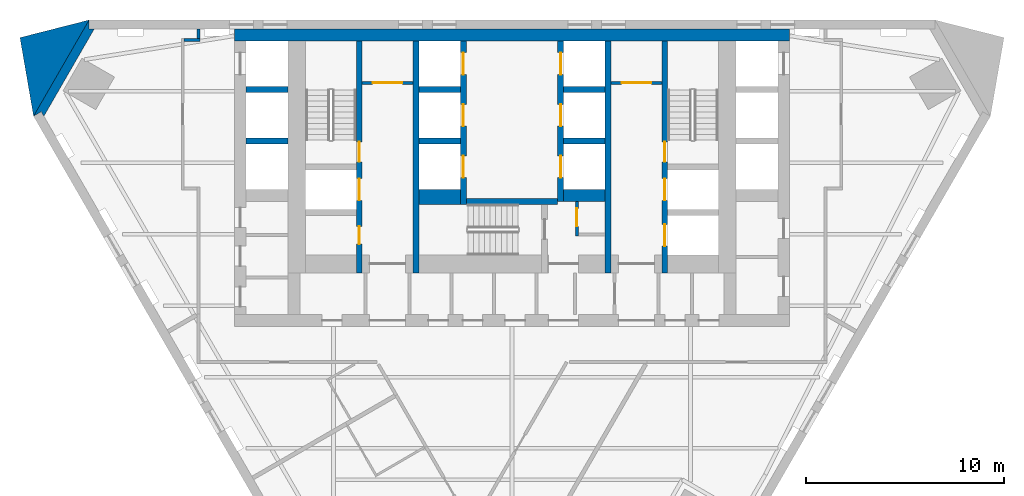
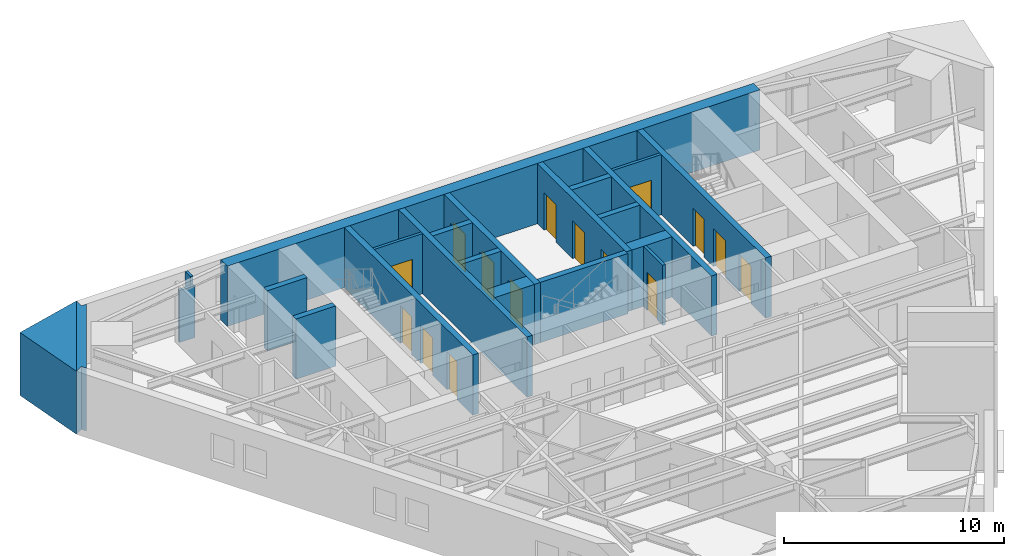
# One storey, part 5 of 7: 23 walls, 15 doors, 15 openings.
"""IFC4 building model written with IfcOpenShell, lengths in metres."""

import ifcopenshell
import ifcopenshell.guid

model = None  # the IFC model being written
_history = None  # IfcOwnerHistory: only IFC2X3 demands one
_inside = {}  # id of a spatial element -> (the spatial element, [elements in it])
_under = {}  # id of a project, library or spatial element -> (it, [spatial elements below it])
_declared = {}  # id of a project -> (the project, [libraries it declares])
_typed = {}  # id of a type object -> (the type object, [elements of that type])
_made_of = {}  # id of a material, layer set ... -> (it, [elements and type objects made of it])


def new_model(schema):
    """Start an empty IFC model of exactly this schema.

    Asked for "IFC4X3", IfcOpenShell would pick the latest addendum, in which some entities
    have other attributes; the version numbers below select the first issue.
    IFC2X3 requires an IfcOwnerHistory on every rooted entity: one is made here for all.
    """
    global model, _history
    if schema == "IFC4X3":
        model = ifcopenshell.file(schema_version=(4, 3, 0, 0))
    else:
        model = ifcopenshell.file(schema=schema)
    _inside.clear()
    _under.clear()
    _declared.clear()
    _typed.clear()
    _made_of.clear()
    _history = None
    if model.schema == "IFC2X3":
        org = make("IfcOrganization", Name="unknown")
        user = make(
            "IfcPersonAndOrganization",
            ThePerson=make("IfcPerson", FamilyName="unknown"),
            TheOrganization=org,
        )
        app = make(
            "IfcApplication",
            ApplicationDeveloper=org,
            Version="unknown",
            ApplicationFullName="unknown",
            ApplicationIdentifier="unknown",
        )
        _history = make(
            "IfcOwnerHistory",
            OwningUser=user,
            OwningApplication=app,
            ChangeAction="ADDED",
            CreationDate=0,
        )
    return model


def make(cls, **values):
    """One entity of the class cls with the attributes given. An attribute that is None is left unset."""
    return model.create_entity(
        cls, **{name: value for name, value in values.items() if value is not None}
    )


def rooted(cls, **values):
    """An entity with a GlobalId (a new one), such as an element, a storey or a relation."""
    return make(cls, GlobalId=ifcopenshell.guid.new(), OwnerHistory=_history, **values)


def si_unit(unit_type, name, prefix=None):
    """IfcSIUnit, for example si_unit("LENGTHUNIT", "METRE", prefix="MILLI")."""
    return make("IfcSIUnit", UnitType=unit_type, Prefix=prefix, Name=name)


def assignment(units):
    """IfcUnitAssignment: the units of a project."""
    return None if units is None else make("IfcUnitAssignment", Units=units)


def point(xyz):
    """IfcCartesianPoint."""
    return None if xyz is None else make("IfcCartesianPoint", Coordinates=xyz)


def direction(xyz):
    """IfcDirection."""
    return None if xyz is None else make("IfcDirection", DirectionRatios=xyz)


def frame(location, z_axis=None, x_axis=None):
    """IfcAxis2Placement3D, a coordinate frame: its origin and axes. An axis left out is left unset."""
    return make(
        "IfcAxis2Placement3D",
        Location=point(location),
        Axis=direction(z_axis),
        RefDirection=direction(x_axis),
    )


def frame_2d(location, x_axis=None):
    """IfcAxis2Placement2D, a coordinate frame in the plane: its origin and x axis."""
    return make(
        "IfcAxis2Placement2D", Location=point(location), RefDirection=direction(x_axis)
    )


def origin():
    """The frame at (0, 0, 0) with its axes left unset."""
    return frame((0.0, 0.0, 0.0))


def place(relative_to, where):
    """IfcLocalPlacement: puts the frame where relative to a parent placement (None: the world)."""
    return make(
        "IfcLocalPlacement", PlacementRelTo=relative_to, RelativePlacement=where
    )


def context(
    kind, dimensions, precision=None, world=None, true_north=None, identifier=None
):
    """IfcGeometricRepresentationContext, for example the 3D "Model" context."""
    return make(
        "IfcGeometricRepresentationContext",
        ContextIdentifier=identifier,
        ContextType=kind,
        CoordinateSpaceDimension=dimensions,
        Precision=precision,
        WorldCoordinateSystem=world,
        TrueNorth=true_north,
    )


def subcontext(parent, identifier, kind, view, scale=None):
    """IfcGeometricRepresentationSubContext, for example "Body" below "Model"."""
    return make(
        "IfcGeometricRepresentationSubContext",
        ContextIdentifier=identifier,
        ContextType=kind,
        ParentContext=parent,
        TargetScale=scale,
        TargetView=view,
    )


def project(units=None, contexts=None):
    """IfcProject with its units and contexts."""
    return rooted(
        "IfcProject",
        Name="project",
        RepresentationContexts=contexts,
        UnitsInContext=assignment(units),
    )


def spatial(cls, under=None, at=None, **own):
    """A site, building, storey or space (cls), placed at a placement, below another one or the project."""
    s = rooted(cls, ObjectPlacement=at, **own)
    if under is not None:
        _under.setdefault(under.id(), (under, []))[1].append(s)
    return s


def polyline(points):
    """IfcPolyline through the points."""
    return make("IfcPolyline", Points=[point(p) for p in points])


def profile(cls, at=None, kind="AREA", **sizes):
    """A parametric profile (cls). Its sizes go by their IFC names, for example OverallWidth=200.0."""
    return make(cls, ProfileType=kind, Position=at, **sizes)


def rectangle(**sizes):
    """IfcRectangleProfileDef."""
    return profile("IfcRectangleProfileDef", **sizes)


def outline(outer, holes=None, kind="AREA"):
    """IfcArbitraryClosedProfileDef: a profile drawn as a closed curve; with holes, ...WithVoids."""
    if holes is None:
        return make("IfcArbitraryClosedProfileDef", ProfileType=kind, OuterCurve=outer)
    return make(
        "IfcArbitraryProfileDefWithVoids",
        ProfileType=kind,
        OuterCurve=outer,
        InnerCurves=holes,
    )


def extrude(swept, where, along, depth):
    """IfcExtrudedAreaSolid: the profile swept, set in the frame where, extruded along a direction by depth."""
    return make(
        "IfcExtrudedAreaSolid",
        SweptArea=swept,
        Position=where,
        ExtrudedDirection=direction(along),
        Depth=depth,
    )


def shape(context_of_items, identifier, shape_type, items):
    """IfcShapeRepresentation: the items that make up one representation, for example the "Body"."""
    return make(
        "IfcShapeRepresentation",
        ContextOfItems=context_of_items,
        RepresentationIdentifier=identifier,
        RepresentationType=shape_type,
        Items=items,
    )


def material(Name=None, Category=None):
    """IfcMaterial."""
    return make("IfcMaterial", Name=Name, Category=Category)


def layer(
    of_material, thickness, ventilated=None, Name=None, Category=None, Priority=None
):
    """IfcMaterialLayer: one layer of a wall or slab, of a material (None: an air gap)."""
    return make(
        "IfcMaterialLayer",
        Material=of_material,
        LayerThickness=thickness,
        IsVentilated=ventilated,
        Name=Name,
        Category=Category,
        Priority=Priority,
    )


def layer_set(layers, Name=None):
    """IfcMaterialLayerSet."""
    return make("IfcMaterialLayerSet", MaterialLayers=layers, LayerSetName=Name)


def made_of(thing, what):
    """Note that an element or type object is made of a material, layer set ...; save() writes the relation."""
    if what is not None:
        _made_of.setdefault(what.id(), (what, []))[1].append(thing)
    return thing


def type_object(cls, material=None, **own):
    """A type object (cls), such as IfcWallType, which elements share."""
    return made_of(rooted(cls, **own), material)


def element(
    cls,
    number,
    at=None,
    inside=None,
    cuts=None,
    type_object=None,
    material=None,
    context=None,
    identifier="Body",
    shape_type=None,
    held_by="IfcProductDefinitionShape",
    body=None,
    shapes=None,
    **own,
):
    """One element of the class cls, such as IfcWall. Its Tag is "e" and its number.

    at: its placement. inside: the storey or other place that contains it. cuts: it is an
    opening in that element (IfcRelVoidsElement). A single representation is given by context,
    identifier, shape_type and body (its items); several are given by shapes. held_by: the class
    of the entity that holds the representations. save() writes the other relations.
    """
    e = rooted(cls, Tag="e%d" % number, ObjectPlacement=at, **own)
    if body is not None:
        shapes = [shape(context, identifier, shape_type, body)]
    if shapes is not None:
        e.Representation = make(held_by, Representations=shapes)
    if inside is not None:
        _inside.setdefault(inside.id(), (inside, []))[1].append(e)
    if cuts is not None:
        rooted(
            "IfcRelVoidsElement", RelatingBuildingElement=cuts, RelatedOpeningElement=e
        )
    if type_object is not None:
        _typed.setdefault(type_object.id(), (type_object, []))[1].append(e)
    return made_of(e, material)


def fill(opening, filler):
    """IfcRelFillsElement: the door or window that sits in an opening."""
    return rooted(
        "IfcRelFillsElement",
        RelatingOpeningElement=opening,
        RelatedBuildingElement=filler,
    )


def aggregate(whole, parts):
    """IfcRelAggregates: a whole, such as a stair, and the parts it consists of."""
    return rooted("IfcRelAggregates", RelatingObject=whole, RelatedObjects=parts)


def save(model, path):
    """Write the relations noted so far, then the file.

    IfcRelAggregates (storeys below a building ...), IfcRelContainedInSpatialStructure (elements
    in a storey), IfcRelDefinesByType, IfcRelAssociatesMaterial and IfcRelDeclares: one each for
    every whole, place, type object, material and project.
    """
    for whole, parts in _under.values():
        aggregate(whole, parts)
    for where, things in _inside.values():
        rooted(
            "IfcRelContainedInSpatialStructure",
            RelatedElements=things,
            RelatingStructure=where,
        )
    for kind, things in _typed.values():
        rooted("IfcRelDefinesByType", RelatedObjects=things, RelatingType=kind)
    for what, things in _made_of.values():
        rooted("IfcRelAssociatesMaterial", RelatedObjects=things, RelatingMaterial=what)
    for by, libraries in _declared.values():
        rooted("IfcRelDeclares", RelatingContext=by, RelatedDefinitions=libraries)
    model.write(path)


model = new_model("IFC4")

# Units and contexts
model_context = context("Model", 3, precision=1e-05, world=origin(), true_north=direction((0.0, 1.0)))
body_context = subcontext(model_context, "Body", "Model", "MODEL_VIEW")
ifc_project = project(units=[si_unit("LENGTHUNIT", "METRE"), si_unit("AREAUNIT", "SQUARE_METRE"), si_unit("VOLUMEUNIT", "CUBIC_METRE"), si_unit("PLANEANGLEUNIT", "RADIAN"), si_unit("MASSUNIT", "GRAM", prefix="KILO")], contexts=[model_context])

# Site, building, storey
site_placement = place(None, origin())
site = spatial("IfcSite", under=ifc_project, at=site_placement, CompositionType="ELEMENT")
building_placement = place(site_placement, origin())
building = spatial("IfcBuilding", under=site, at=building_placement, Name="Aloe Facet Convention Tower", CompositionType="ELEMENT")
storey_placement = place(building_placement, frame((0.0, 0.0, 113.300048828125)))
storey = spatial("IfcBuildingStorey", under=building, at=storey_placement, Name="L28", CompositionType="ELEMENT", Elevation=113.300048828125)

# Wall, opening, door
ifc_material_1 = material(Name="Concrete blockwork partition", Category="masonry")
ifc_layer_1 = layer(ifc_material_1, 0.14990234375)
ifc_layer_set_1 = layer_set([ifc_layer_1], Name="CR-W-PART150")
wall_type_1 = type_object("IfcWallType", Name="CR-W-PART150", PredefinedType="PARTITIONING", material=ifc_layer_set_1)
wall_1_placement = place(storey_placement, frame((72.449951171875, 131.824951171875, 0.0), z_axis=(0.0, 0.0, 1.0), x_axis=(1.0, 0.0, 0.0)))
wall_1 = element("IfcWall", 1, at=wall_1_placement, inside=storey, type_object=wall_type_1, Name="Core partition L28-015", PredefinedType="PARTITIONING", context=body_context, shape_type="SweptSolid", body=[
    extrude(rectangle(XDim=2.550048828125, YDim=0.14990234375, at=frame_2d((1.27490234375, 0.0))), origin(), (0.0, 0.0, 1.0), 3.349853515625),
])
opening_1_placement = place(wall_1_placement, frame((0.52490234375, 0.0, 0.0)))
opening_1 = element("IfcOpeningElement", 2, at=opening_1_placement, cuts=wall_1, Name="Opening L28-CD21", PredefinedType="OPENING", context=body_context, shape_type="SweptSolid", body=[
    extrude(rectangle(XDim=1.5, YDim=2.10009765625, at=frame_2d((0.75, 1.050048828125))), frame((0.0, 0.0849609375, 0.0), z_axis=(0.0, -1.0, 0.0), x_axis=(1.0, 0.0, 0.0)), (0.0, 0.0, 1.0), 0.169921875),
])
ifc_material_2 = material(Name="Steel fire-resisting door set FD60", Category="steel")
door_type_1 = type_object("IfcDoorType", Name="CR-D-REFUGE-1500-FD60-DD", OperationType="DOUBLE_DOOR_DOUBLE_SWING", PredefinedType="DOOR", material=ifc_material_2)
door_1_placement = place(opening_1_placement, origin())
door_1 = element("IfcDoor", 3, at=door_1_placement, inside=storey, type_object=door_type_1, Name="Core door L28-CD21", OperationType="DOUBLE_DOOR_DOUBLE_SWING", OverallHeight=2.10009765625, OverallWidth=1.5, PredefinedType="DOOR", context=body_context, shape_type="SweptSolid", body=[
    extrude(rectangle(XDim=1.5, YDim=2.10009765625, at=frame_2d((0.75, 1.050048828125))), frame((0.0, 0.02490234375, 0.0), z_axis=(0.0, -1.0, 0.0), x_axis=(1.0, 0.0, 0.0)), (0.0, 0.0, 1.0), 0.050048828125),
])
fill(opening_1, door_1)

wall_2_placement = place(storey_placement, frame((83.27490234375, 125.85009765625, 0.0), z_axis=(0.0, 0.0, 1.0), x_axis=(0.0, -1.0, 0.0)))
wall_2 = element("IfcWall", 4, at=wall_2_placement, inside=storey, type_object=wall_type_1, Name="Core partition L28-036", PredefinedType="PARTITIONING", context=body_context, shape_type="SweptSolid", body=[
    extrude(rectangle(XDim=1.75, YDim=0.14990234375, at=frame_2d((0.875, 0.0))), origin(), (0.0, 0.0, 1.0), 3.349853515625),
])
opening_2_placement = place(wall_2_placement, frame((0.35009765625, 0.0, 0.0)))
opening_2 = element("IfcOpeningElement", 5, at=opening_2_placement, cuts=wall_2, Name="Opening L28-CD19", PredefinedType="OPENING", context=body_context, shape_type="SweptSolid", body=[
    extrude(rectangle(XDim=0.89990234375, YDim=2.10009765625, at=frame_2d((0.449951171875, 1.050048828125))), frame((0.0, 0.0849609375, 0.0), z_axis=(0.0, -1.0, 0.0), x_axis=(1.0, 0.0, 0.0)), (0.0, 0.0, 1.0), 0.169921875),
])
ifc_material_3 = material(Name="Steel fire-resisting door set FD60", Category="steel")
door_type_2 = type_object("IfcDoorType", Name="CR-D-REFUGE-900-FD60-SRIGHT", OperationType="SINGLE_SWING_RIGHT", PredefinedType="DOOR", material=ifc_material_3)
door_2_placement = place(opening_2_placement, origin())
door_2 = element("IfcDoor", 6, at=door_2_placement, inside=storey, type_object=door_type_2, Name="Core door L28-CD19", OperationType="SINGLE_SWING_RIGHT", OverallHeight=2.10009765625, OverallWidth=0.89990234375, PredefinedType="DOOR", context=body_context, shape_type="SweptSolid", body=[
    extrude(rectangle(XDim=0.89990234375, YDim=2.10009765625, at=frame_2d((0.449951171875, 1.050048828125))), frame((0.0, 0.02490234375, 0.0), z_axis=(0.0, -1.0, 0.0), x_axis=(1.0, 0.0, 0.0)), (0.0, 0.0, 1.0), 0.050048828125),
])
fill(opening_2, door_2)

wall_3_placement = place(storey_placement, frame((85.0, 131.824951171875, 0.0), z_axis=(0.0, 0.0, 1.0), x_axis=(1.0, 0.0, 0.0)))
wall_3 = element("IfcWall", 7, at=wall_3_placement, inside=storey, type_object=wall_type_1, Name="Core partition L28-039", PredefinedType="PARTITIONING", context=body_context, shape_type="SweptSolid", body=[
    extrude(rectangle(XDim=2.550048828125, YDim=0.14990234375, at=frame_2d((1.27490234375, 0.0))), origin(), (0.0, 0.0, 1.0), 3.349853515625),
])
opening_3_placement = place(wall_3_placement, frame((0.52490234375, 0.0, 0.0)))
opening_3 = element("IfcOpeningElement", 8, at=opening_3_placement, cuts=wall_3, Name="Opening L28-CD20", PredefinedType="OPENING", context=body_context, shape_type="SweptSolid", body=[
    extrude(rectangle(XDim=1.5, YDim=2.10009765625, at=frame_2d((0.75, 1.050048828125))), frame((0.0, 0.0849609375, 0.0), z_axis=(0.0, -1.0, 0.0), x_axis=(1.0, 0.0, 0.0)), (0.0, 0.0, 1.0), 0.169921875),
])
door_3_placement = place(opening_3_placement, origin())
door_3 = element("IfcDoor", 9, at=door_3_placement, inside=storey, type_object=door_type_1, Name="Core door L28-CD20", OperationType="DOUBLE_DOOR_DOUBLE_SWING", OverallHeight=2.10009765625, OverallWidth=1.5, PredefinedType="DOOR", context=body_context, shape_type="SweptSolid", body=[
    extrude(rectangle(XDim=1.5, YDim=2.10009765625, at=frame_2d((0.75, 1.050048828125))), frame((0.0, 0.02490234375, 0.0), z_axis=(0.0, -1.0, 0.0), x_axis=(1.0, 0.0, 0.0)), (0.0, 0.0, 1.0), 0.050048828125),
])
fill(opening_3, door_3)

# Walls
ifc_material_4 = material(Name="Concrete C70/85", Category="concrete")
ifc_layer_2 = layer(ifc_material_4, 0.300048828125)
ifc_layer_set_2 = layer_set([ifc_layer_2], Name="CR-W-RC300-C7085")
wall_type_2 = type_object("IfcWallType", Name="CR-W-RC300-C7085", PredefinedType="SOLIDWALL", material=ifc_layer_set_2)
for number, where, z_axis, x_axis, name in (
    (10, (66.60009765625, 131.5, 0.0), (0.0, 0.0, 1.0), (1.0, 0.0, 0.0), "Core wall L28-004"),
    (11, (66.60009765625, 128.89990234375, 0.0), (0.0, 0.0, 1.0), (1.0, 0.0, 0.0), "Core wall L28-005"),
):
    element("IfcWall", number, at=place(storey_placement, frame(where, z_axis=z_axis, x_axis=x_axis)), inside=storey, type_object=wall_type_2, Name=name, PredefinedType="SOLIDWALL", context=body_context, shape_type="SweptSolid", body=[
        extrude(rectangle(XDim=2.099853515625, YDim=0.300048828125, at=frame_2d((1.0498046875, 0.0))), origin(), (0.0, 0.0, 1.0), 3.349853515625),
    ])

# Wall, openings, doors
wall_4_placement = place(storey_placement, frame((72.300048828125, 133.949951171875, 0.0), z_axis=(0.0, 0.0, 1.0), x_axis=(0.0, -1.0, 0.0)))
wall_4 = element("IfcWall", 12, at=wall_4_placement, inside=storey, type_object=wall_type_2, Name="Core wall L28-014", PredefinedType="SOLIDWALL", context=body_context, shape_type="SweptSolid", body=[
    extrude(rectangle(XDim=11.699951171875, YDim=0.300048828125, at=frame_2d((5.85009765625, 0.0))), origin(), (0.0, 0.0, 1.0), 3.349853515625),
])
opening_4_placement = place(wall_4_placement, frame((6.949951171875, 0.0, 0.0)))
opening_4 = element("IfcOpeningElement", 13, at=opening_4_placement, cuts=wall_4, Name="Opening LD-FF1-L28", PredefinedType="OPENING", context=body_context, shape_type="SweptSolid", body=[
    extrude(rectangle(XDim=1.10009765625, YDim=2.10009765625, at=frame_2d((0.550048828125, 1.050048828125))), frame((0.0, 0.16015625, 0.0), z_axis=(0.0, -1.0, 0.0), x_axis=(1.0, 0.0, 0.0)), (0.0, 0.0, 1.0), 0.320068359375),
])
opening_5_placement = place(wall_4_placement, frame((9.35009765625, 0.0, 0.0)))
opening_5 = element("IfcOpeningElement", 14, at=opening_5_placement, cuts=wall_4, Name="Opening L28-CD22", PredefinedType="OPENING", context=body_context, shape_type="SweptSolid", body=[
    extrude(rectangle(XDim=0.89990234375, YDim=2.10009765625, at=frame_2d((0.449951171875, 1.050048828125))), frame((0.0, 0.16015625, 0.0), z_axis=(0.0, -1.0, 0.0), x_axis=(1.0, 0.0, 0.0)), (0.0, 0.0, 1.0), 0.320068359375),
])
opening_6_placement = place(wall_4_placement, frame((5.10009765625, 0.0, 0.0)))
opening_6 = element("IfcOpeningElement", 15, at=opening_6_placement, cuts=wall_4, Name="Opening L28-CD30", PredefinedType="OPENING", context=body_context, shape_type="SweptSolid", body=[
    extrude(rectangle(XDim=1.0, YDim=2.10009765625, at=frame_2d((0.5, 1.050048828125))), frame((0.0, 0.16015625, 0.0), z_axis=(0.0, -1.0, 0.0), x_axis=(1.0, 0.0, 0.0)), (0.0, 0.0, 1.0), 0.320068359375),
])
ifc_material_5 = material(Name="Steel fire-resisting door set FD60", Category="steel")
door_type_3 = type_object("IfcDoorType", Name="CR-D-ROOM-900-FD60-SLEFT", OperationType="SINGLE_SWING_LEFT", PredefinedType="DOOR", material=ifc_material_5)
door_4_placement = place(opening_5_placement, origin())
door_4 = element("IfcDoor", 16, at=door_4_placement, inside=storey, type_object=door_type_3, Name="Core door L28-CD22", OperationType="SINGLE_SWING_LEFT", OverallHeight=2.10009765625, OverallWidth=0.89990234375, PredefinedType="DOOR", context=body_context, shape_type="SweptSolid", body=[
    extrude(rectangle(XDim=0.89990234375, YDim=2.10009765625, at=frame_2d((0.449951171875, 1.050048828125))), frame((0.0, 0.02490234375, 0.0), z_axis=(0.0, -1.0, 0.0), x_axis=(1.0, 0.0, 0.0)), (0.0, 0.0, 1.0), 0.050048828125),
])
fill(opening_5, door_4)
ifc_material_6 = material(Name="Steel fire-resisting door set FD120", Category="steel")
door_type_4 = type_object("IfcDoorType", Name="CR-D-STAIR-1000-FD120-SRIGHT", OperationType="SINGLE_SWING_RIGHT", PredefinedType="DOOR", material=ifc_material_6)
door_5_placement = place(opening_6_placement, origin())
door_5 = element("IfcDoor", 17, at=door_5_placement, inside=storey, type_object=door_type_4, Name="Core door L28-CD30", OperationType="SINGLE_SWING_RIGHT", OverallHeight=2.10009765625, OverallWidth=1.0, PredefinedType="DOOR", context=body_context, shape_type="SweptSolid", body=[
    extrude(rectangle(XDim=1.0, YDim=2.10009765625, at=frame_2d((0.5, 1.050048828125))), frame((0.0, 0.02490234375, 0.0), z_axis=(0.0, -1.0, 0.0), x_axis=(1.0, 0.0, 0.0)), (0.0, 0.0, 1.0), 0.050048828125),
])
fill(opening_6, door_5)
ifc_material_7 = material(Name="Stainless steel sliding landing door", Category="steel")
door_type_5 = type_object("IfcDoorType", Name="CR-LD-1100-FD120-_LEFT", OperationType="SLIDING_TO_LEFT", PredefinedType="DOOR", material=ifc_material_7)
door_6_placement = place(opening_4_placement, origin())
door_6 = element("IfcDoor", 18, at=door_6_placement, inside=storey, type_object=door_type_5, Name="Landing door FF1 L28", OperationType="SLIDING_TO_LEFT", OverallHeight=2.10009765625, OverallWidth=1.10009765625, PredefinedType="DOOR", context=body_context, shape_type="SweptSolid", body=[
    extrude(rectangle(XDim=1.10009765625, YDim=2.10009765625, at=frame_2d((0.550048828125, 1.050048828125))), frame((0.0, 0.02490234375, 0.0), z_axis=(0.0, -1.0, 0.0), x_axis=(1.0, 0.0, 0.0)), (0.0, 0.0, 1.0), 0.050048828125),
])
fill(opening_4, door_6)

# Walls
wall_5_placement = place(storey_placement, frame((75.14990234375, 133.949951171875, 0.0), z_axis=(0.0, 0.0, 1.0), x_axis=(0.0, -1.0, 0.0)))
element("IfcWall", 19, at=wall_5_placement, inside=storey, type_object=wall_type_2, Name="Core wall L28-019", PredefinedType="SOLIDWALL", context=body_context, shape_type="SweptSolid", body=[
    extrude(rectangle(XDim=11.699951171875, YDim=0.300048828125, at=frame_2d((5.85009765625, 0.0))), origin(), (0.0, 0.0, 1.0), 3.349853515625),
])
for number, where, z_axis, x_axis, name in (
    (20, (75.300048828125, 131.5, 0.0), (0.0, 0.0, 1.0), (1.0, 0.0, 0.0), "Core wall L28-020"),
    (21, (75.300048828125, 128.89990234375, 0.0), (0.0, 0.0, 1.0), (1.0, 0.0, 0.0), "Core wall L28-021"),
):
    element("IfcWall", number, at=place(storey_placement, frame(where, z_axis=z_axis, x_axis=x_axis)), inside=storey, type_object=wall_type_2, Name=name, PredefinedType="SOLIDWALL", context=body_context, shape_type="SweptSolid", body=[
        extrude(rectangle(XDim=2.099853515625, YDim=0.300048828125, at=frame_2d((1.0498046875, 0.0))), origin(), (0.0, 0.0, 1.0), 3.349853515625),
    ])

# Wall, openings, doors
wall_6_placement = place(storey_placement, frame((77.550048828125, 133.949951171875, 0.0), z_axis=(0.0, 0.0, 1.0), x_axis=(0.0, -1.0, 0.0)))
wall_6 = element("IfcWall", 22, at=wall_6_placement, inside=storey, type_object=wall_type_2, Name="Core wall L28-025", PredefinedType="SOLIDWALL", context=body_context, shape_type="SweptSolid", body=[
    extrude(rectangle(XDim=8.25, YDim=0.300048828125, at=frame_2d((4.125, 0.0))), origin(), (0.0, 0.0, 1.0), 3.349853515625),
])
opening_7_placement = place(wall_6_placement, frame((0.60009765625, 0.0, 0.0)))
opening_7 = element("IfcOpeningElement", 23, at=opening_7_placement, cuts=wall_6, Name="Opening LD-A1-L28", PredefinedType="OPENING", context=body_context, shape_type="SweptSolid", body=[
    extrude(rectangle(XDim=1.10009765625, YDim=2.10009765625, at=frame_2d((0.550048828125, 1.050048828125))), frame((0.0, 0.16015625, 0.0), z_axis=(0.0, -1.0, 0.0), x_axis=(1.0, 0.0, 0.0)), (0.0, 0.0, 1.0), 0.320068359375),
])
opening_8_placement = place(wall_6_placement, frame((3.199951171875, 0.0, 0.0)))
opening_8 = element("IfcOpeningElement", 24, at=opening_8_placement, cuts=wall_6, Name="Opening LD-A2-L28", PredefinedType="OPENING", context=body_context, shape_type="SweptSolid", body=[
    extrude(rectangle(XDim=1.10009765625, YDim=2.10009765625, at=frame_2d((0.550048828125, 1.050048828125))), frame((0.0, 0.16015625, 0.0), z_axis=(0.0, -1.0, 0.0), x_axis=(1.0, 0.0, 0.0)), (0.0, 0.0, 1.0), 0.320068359375),
])
opening_9_placement = place(wall_6_placement, frame((5.800048828125, 0.0, 0.0)))
opening_9 = element("IfcOpeningElement", 25, at=opening_9_placement, cuts=wall_6, Name="Opening LD-A3-L28", PredefinedType="OPENING", context=body_context, shape_type="SweptSolid", body=[
    extrude(rectangle(XDim=1.10009765625, YDim=2.10009765625, at=frame_2d((0.550048828125, 1.050048828125))), frame((0.0, 0.16015625, 0.0), z_axis=(0.0, -1.0, 0.0), x_axis=(1.0, 0.0, 0.0)), (0.0, 0.0, 1.0), 0.320068359375),
])
ifc_material_8 = material(Name="Stainless steel sliding landing door", Category="steel")
door_type_6 = type_object("IfcDoorType", Name="CR-LD-1100-FD60-RIGHT", OperationType="SLIDING_TO_RIGHT", PredefinedType="DOOR", material=ifc_material_8)
door_7_placement = place(opening_7_placement, origin())
door_7 = element("IfcDoor", 26, at=door_7_placement, inside=storey, type_object=door_type_6, Name="Landing door A1 L28", OperationType="SLIDING_TO_RIGHT", OverallHeight=2.10009765625, OverallWidth=1.10009765625, PredefinedType="DOOR", context=body_context, shape_type="SweptSolid", body=[
    extrude(rectangle(XDim=1.10009765625, YDim=2.10009765625, at=frame_2d((0.550048828125, 1.050048828125))), frame((0.0, 0.02490234375, 0.0), z_axis=(0.0, -1.0, 0.0), x_axis=(1.0, 0.0, 0.0)), (0.0, 0.0, 1.0), 0.050048828125),
])
fill(opening_7, door_7)
door_8_placement = place(opening_8_placement, origin())
door_8 = element("IfcDoor", 27, at=door_8_placement, inside=storey, type_object=door_type_6, Name="Landing door A2 L28", OperationType="SLIDING_TO_RIGHT", OverallHeight=2.10009765625, OverallWidth=1.10009765625, PredefinedType="DOOR", context=body_context, shape_type="SweptSolid", body=[
    extrude(rectangle(XDim=1.10009765625, YDim=2.10009765625, at=frame_2d((0.550048828125, 1.050048828125))), frame((0.0, 0.02490234375, 0.0), z_axis=(0.0, -1.0, 0.0), x_axis=(1.0, 0.0, 0.0)), (0.0, 0.0, 1.0), 0.050048828125),
])
fill(opening_8, door_8)
door_9_placement = place(opening_9_placement, origin())
door_9 = element("IfcDoor", 28, at=door_9_placement, inside=storey, type_object=door_type_6, Name="Landing door A3 L28", OperationType="SLIDING_TO_RIGHT", OverallHeight=2.10009765625, OverallWidth=1.10009765625, PredefinedType="DOOR", context=body_context, shape_type="SweptSolid", body=[
    extrude(rectangle(XDim=1.10009765625, YDim=2.10009765625, at=frame_2d((0.550048828125, 1.050048828125))), frame((0.0, 0.02490234375, 0.0), z_axis=(0.0, -1.0, 0.0), x_axis=(1.0, 0.0, 0.0)), (0.0, 0.0, 1.0), 0.050048828125),
])
fill(opening_9, door_9)

# Wall
wall_7_placement = place(storey_placement, frame((77.699951171875, 125.85009765625, 0.0), z_axis=(0.0, 0.0, 1.0), x_axis=(1.0, 0.0, 0.0)))
element("IfcWall", 29, at=wall_7_placement, inside=storey, type_object=wall_type_2, Name="Core wall L28-026", PredefinedType="SOLIDWALL", context=body_context, shape_type="SweptSolid", body=[
    extrude(rectangle(XDim=4.60009765625, YDim=0.300048828125, at=frame_2d((2.300048828125, 0.0))), origin(), (0.0, 0.0, 1.0), 3.349853515625),
])

# Wall, openings, doors
wall_8_placement = place(storey_placement, frame((82.449951171875, 133.949951171875, 0.0), z_axis=(0.0, 0.0, 1.0), x_axis=(0.0, -1.0, 0.0)))
wall_8 = element("IfcWall", 30, at=wall_8_placement, inside=storey, type_object=wall_type_2, Name="Core wall L28-031", PredefinedType="SOLIDWALL", context=body_context, shape_type="SweptSolid", body=[
    extrude(rectangle(XDim=8.099853515625, YDim=0.300048828125, at=frame_2d((4.0498046875, 0.0))), origin(), (0.0, 0.0, 1.0), 3.349853515625),
])
opening_10_placement = place(wall_8_placement, frame((0.60009765625, 0.0, 0.0)))
opening_10 = element("IfcOpeningElement", 31, at=opening_10_placement, cuts=wall_8, Name="Opening LD-A4-L28", PredefinedType="OPENING", context=body_context, shape_type="SweptSolid", body=[
    extrude(rectangle(XDim=1.10009765625, YDim=2.10009765625, at=frame_2d((0.550048828125, 1.050048828125))), frame((0.0, 0.16015625, 0.0), z_axis=(0.0, -1.0, 0.0), x_axis=(1.0, 0.0, 0.0)), (0.0, 0.0, 1.0), 0.320068359375),
])
opening_11_placement = place(wall_8_placement, frame((3.199951171875, 0.0, 0.0)))
opening_11 = element("IfcOpeningElement", 32, at=opening_11_placement, cuts=wall_8, Name="Opening LD-A5-L28", PredefinedType="OPENING", context=body_context, shape_type="SweptSolid", body=[
    extrude(rectangle(XDim=1.10009765625, YDim=2.10009765625, at=frame_2d((0.550048828125, 1.050048828125))), frame((0.0, 0.16015625, 0.0), z_axis=(0.0, -1.0, 0.0), x_axis=(1.0, 0.0, 0.0)), (0.0, 0.0, 1.0), 0.320068359375),
])
opening_12_placement = place(wall_8_placement, frame((5.800048828125, 0.0, 0.0)))
opening_12 = element("IfcOpeningElement", 33, at=opening_12_placement, cuts=wall_8, Name="Opening LD-A6-L28", PredefinedType="OPENING", context=body_context, shape_type="SweptSolid", body=[
    extrude(rectangle(XDim=1.10009765625, YDim=2.10009765625, at=frame_2d((0.550048828125, 1.050048828125))), frame((0.0, 0.16015625, 0.0), z_axis=(0.0, -1.0, 0.0), x_axis=(1.0, 0.0, 0.0)), (0.0, 0.0, 1.0), 0.320068359375),
])
ifc_material_9 = material(Name="Stainless steel sliding landing door", Category="steel")
door_type_7 = type_object("IfcDoorType", Name="CR-LD-1100-FD60-_LEFT", OperationType="SLIDING_TO_LEFT", PredefinedType="DOOR", material=ifc_material_9)
door_10_placement = place(opening_10_placement, origin())
door_10 = element("IfcDoor", 34, at=door_10_placement, inside=storey, type_object=door_type_7, Name="Landing door A4 L28", OperationType="SLIDING_TO_LEFT", OverallHeight=2.10009765625, OverallWidth=1.10009765625, PredefinedType="DOOR", context=body_context, shape_type="SweptSolid", body=[
    extrude(rectangle(XDim=1.10009765625, YDim=2.10009765625, at=frame_2d((0.550048828125, 1.050048828125))), frame((0.0, 0.02490234375, 0.0), z_axis=(0.0, -1.0, 0.0), x_axis=(1.0, 0.0, 0.0)), (0.0, 0.0, 1.0), 0.050048828125),
])
fill(opening_10, door_10)
door_11_placement = place(opening_11_placement, origin())
door_11 = element("IfcDoor", 35, at=door_11_placement, inside=storey, type_object=door_type_7, Name="Landing door A5 L28", OperationType="SLIDING_TO_LEFT", OverallHeight=2.10009765625, OverallWidth=1.10009765625, PredefinedType="DOOR", context=body_context, shape_type="SweptSolid", body=[
    extrude(rectangle(XDim=1.10009765625, YDim=2.10009765625, at=frame_2d((0.550048828125, 1.050048828125))), frame((0.0, 0.02490234375, 0.0), z_axis=(0.0, -1.0, 0.0), x_axis=(1.0, 0.0, 0.0)), (0.0, 0.0, 1.0), 0.050048828125),
])
fill(opening_11, door_11)
door_12_placement = place(opening_12_placement, origin())
door_12 = element("IfcDoor", 36, at=door_12_placement, inside=storey, type_object=door_type_7, Name="Landing door A6 L28", OperationType="SLIDING_TO_LEFT", OverallHeight=2.10009765625, OverallWidth=1.10009765625, PredefinedType="DOOR", context=body_context, shape_type="SweptSolid", body=[
    extrude(rectangle(XDim=1.10009765625, YDim=2.10009765625, at=frame_2d((0.550048828125, 1.050048828125))), frame((0.0, 0.02490234375, 0.0), z_axis=(0.0, -1.0, 0.0), x_axis=(1.0, 0.0, 0.0)), (0.0, 0.0, 1.0), 0.050048828125),
])
fill(opening_12, door_12)

# Walls
for number, where, z_axis, x_axis, name in (
    (37, (82.60009765625, 131.5, 0.0), (0.0, 0.0, 1.0), (1.0, 0.0, 0.0), "Core wall L28-032"),
    (38, (82.60009765625, 128.89990234375, 0.0), (0.0, 0.0, 1.0), (1.0, 0.0, 0.0), "Core wall L28-033"),
):
    element("IfcWall", number, at=place(storey_placement, frame(where, z_axis=z_axis, x_axis=x_axis)), inside=storey, type_object=wall_type_2, Name=name, PredefinedType="SOLIDWALL", context=body_context, shape_type="SweptSolid", body=[
        extrude(rectangle(XDim=2.099853515625, YDim=0.300048828125, at=frame_2d((1.0498046875, 0.0))), origin(), (0.0, 0.0, 1.0), 3.349853515625),
    ])
wall_9_placement = place(storey_placement, frame((84.85009765625, 133.949951171875, 0.0), z_axis=(0.0, 0.0, 1.0), x_axis=(0.0, -1.0, 0.0)))
element("IfcWall", 39, at=wall_9_placement, inside=storey, type_object=wall_type_2, Name="Core wall L28-038", PredefinedType="SOLIDWALL", context=body_context, shape_type="SweptSolid", body=[
    extrude(rectangle(XDim=11.699951171875, YDim=0.300048828125, at=frame_2d((5.85009765625, 0.0))), origin(), (0.0, 0.0, 1.0), 3.349853515625),
])

# Wall, openings, doors
wall_10_placement = place(storey_placement, frame((87.699951171875, 133.949951171875, 0.0), z_axis=(0.0, 0.0, 1.0), x_axis=(0.0, -1.0, 0.0)))
wall_10 = element("IfcWall", 40, at=wall_10_placement, inside=storey, type_object=wall_type_2, Name="Core wall L28-043", PredefinedType="SOLIDWALL", context=body_context, shape_type="SweptSolid", body=[
    extrude(rectangle(XDim=11.699951171875, YDim=0.300048828125, at=frame_2d((5.85009765625, 0.0))), origin(), (0.0, 0.0, 1.0), 3.349853515625),
])
opening_13_placement = place(wall_10_placement, frame((6.949951171875, 0.0, 0.0)))
opening_13 = element("IfcOpeningElement", 41, at=opening_13_placement, cuts=wall_10, Name="Opening LD-FF2-L28", PredefinedType="OPENING", context=body_context, shape_type="SweptSolid", body=[
    extrude(rectangle(XDim=1.10009765625, YDim=2.10009765625, at=frame_2d((0.550048828125, 1.050048828125))), frame((0.0, 0.16015625, 0.0), z_axis=(0.0, -1.0, 0.0), x_axis=(1.0, 0.0, 0.0)), (0.0, 0.0, 1.0), 0.320068359375),
])
opening_14_placement = place(wall_10_placement, frame((5.10009765625, 0.0, 0.0)))
opening_14 = element("IfcOpeningElement", 42, at=opening_14_placement, cuts=wall_10, Name="Opening L28-CD31", PredefinedType="OPENING", context=body_context, shape_type="SweptSolid", body=[
    extrude(rectangle(XDim=1.0, YDim=2.10009765625, at=frame_2d((0.5, 1.050048828125))), frame((0.0, 0.16015625, 0.0), z_axis=(0.0, -1.0, 0.0), x_axis=(1.0, 0.0, 0.0)), (0.0, 0.0, 1.0), 0.320068359375),
])
opening_15_placement = place(wall_10_placement, frame((9.25, 0.0, 0.0)))
opening_15 = element("IfcOpeningElement", 43, at=opening_15_placement, cuts=wall_10, Name="Opening LD-SV1-L28", PredefinedType="OPENING", context=body_context, shape_type="SweptSolid", body=[
    extrude(rectangle(XDim=1.10009765625, YDim=2.10009765625, at=frame_2d((0.550048828125, 1.050048828125))), frame((0.0, 0.16015625, 0.0), z_axis=(0.0, -1.0, 0.0), x_axis=(1.0, 0.0, 0.0)), (0.0, 0.0, 1.0), 0.320068359375),
])
ifc_material_10 = material(Name="Steel fire-resisting door set FD120", Category="steel")
door_type_8 = type_object("IfcDoorType", Name="CR-D-STAIR-1000-FD120-SLEFT", OperationType="SINGLE_SWING_LEFT", PredefinedType="DOOR", material=ifc_material_10)
door_13_placement = place(opening_14_placement, origin())
door_13 = element("IfcDoor", 44, at=door_13_placement, inside=storey, type_object=door_type_8, Name="Core door L28-CD31", OperationType="SINGLE_SWING_LEFT", OverallHeight=2.10009765625, OverallWidth=1.0, PredefinedType="DOOR", context=body_context, shape_type="SweptSolid", body=[
    extrude(rectangle(XDim=1.0, YDim=2.10009765625, at=frame_2d((0.5, 1.050048828125))), frame((0.0, 0.02490234375, 0.0), z_axis=(0.0, -1.0, 0.0), x_axis=(1.0, 0.0, 0.0)), (0.0, 0.0, 1.0), 0.050048828125),
])
fill(opening_14, door_13)
door_14_placement = place(opening_13_placement, origin())
door_14 = element("IfcDoor", 45, at=door_14_placement, inside=storey, type_object=door_type_5, Name="Landing door FF2 L28", OperationType="SLIDING_TO_LEFT", OverallHeight=2.10009765625, OverallWidth=1.10009765625, PredefinedType="DOOR", context=body_context, shape_type="SweptSolid", body=[
    extrude(rectangle(XDim=1.10009765625, YDim=2.10009765625, at=frame_2d((0.550048828125, 1.050048828125))), frame((0.0, 0.02490234375, 0.0), z_axis=(0.0, -1.0, 0.0), x_axis=(1.0, 0.0, 0.0)), (0.0, 0.0, 1.0), 0.050048828125),
])
fill(opening_13, door_14)
door_15_placement = place(opening_15_placement, origin())
door_15 = element("IfcDoor", 46, at=door_15_placement, inside=storey, type_object=door_type_5, Name="Landing door SV1 L28", OperationType="SLIDING_TO_LEFT", OverallHeight=2.10009765625, OverallWidth=1.10009765625, PredefinedType="DOOR", context=body_context, shape_type="SweptSolid", body=[
    extrude(rectangle(XDim=1.10009765625, YDim=2.10009765625, at=frame_2d((0.550048828125, 1.050048828125))), frame((0.0, 0.02490234375, 0.0), z_axis=(0.0, -1.0, 0.0), x_axis=(1.0, 0.0, 0.0)), (0.0, 0.0, 1.0), 0.050048828125),
])
fill(opening_15, door_15)

# Walls
ifc_material_11 = material(Name="Concrete C70/85", Category="concrete")
ifc_layer_3 = layer(ifc_material_11, 0.60009765625)
ifc_layer_set_3 = layer_set([ifc_layer_3], Name="CR-W-RC600-C7085")
wall_type_3 = type_object("IfcWallType", Name="CR-W-RC600-C7085", PredefinedType="SOLIDWALL", material=ifc_layer_set_3)
wall_11_placement = place(storey_placement, frame((66.0, 134.25, 0.0), z_axis=(0.0, 0.0, 1.0), x_axis=(1.0, 0.0, 0.0)))
element("IfcWall", 47, at=wall_11_placement, inside=storey, type_object=wall_type_3, Name="Core wall L28-001", PredefinedType="SOLIDWALL", context=body_context, shape_type="SweptSolid", body=[
    extrude(rectangle(XDim=28.0, YDim=0.60009765625, at=frame_2d((14.0, 0.0))), origin(), (0.0, 0.0, 1.0), 3.349853515625),
])
wall_12_placement = place(storey_placement, frame((82.60009765625, 126.14990234375, 0.0), z_axis=(0.0, 0.0, 1.0), x_axis=(1.0, 0.0, 0.0)))
element("IfcWall", 48, at=wall_12_placement, inside=storey, type_object=wall_type_3, Name="Core wall L28-034", PredefinedType="SOLIDWALL", context=body_context, shape_type="SweptSolid", body=[
    extrude(rectangle(XDim=2.099853515625, YDim=0.60009765625, at=frame_2d((1.0498046875, 0.0))), origin(), (0.0, 0.0, 1.0), 3.349853515625),
])
ifc_material_12 = material(Name="Concrete C70/85", Category="concrete")
ifc_layer_4 = layer(ifc_material_12, 0.75)
ifc_layer_set_4 = layer_set([ifc_layer_4], Name="CR-W-RC750-C7085")
wall_type_4 = type_object("IfcWallType", Name="CR-W-RC750-C7085", PredefinedType="SOLIDWALL", material=ifc_layer_set_4)
wall_13_placement = place(storey_placement, frame((75.300048828125, 126.074951171875, 0.0), z_axis=(0.0, 0.0, 1.0), x_axis=(1.0, 0.0, 0.0)))
element("IfcWall", 49, at=wall_13_placement, inside=storey, type_object=wall_type_4, Name="Core wall L28-022", PredefinedType="SOLIDWALL", context=body_context, shape_type="SweptSolid", body=[
    extrude(rectangle(XDim=2.099853515625, YDim=0.75, at=frame_2d((1.0498046875, 0.0))), origin(), (0.0, 0.0, 1.0), 3.349853515625),
])
ifc_material_13 = material(Name="Precast concrete C40/50", Category="concrete")
ifc_layer_5 = layer(ifc_material_13, 0.449951171875)
ifc_layer_set_5 = layer_set([ifc_layer_5], Name="EV-WALL-PIER")
wall_type_5 = type_object("IfcWallType", Name="EV-WALL-PIER", PredefinedType="SOLIDWALL", material=ifc_layer_set_5)
wall_14_placement = place(storey_placement, frame((0.0, 0.0, -0.150146484375)))
element("IfcWall", 50, at=wall_14_placement, inside=storey, type_object=wall_type_5, Name="EP-L28-A", PredefinedType="SOLIDWALL", context=body_context, shape_type="SweptSolid", body=[
    extrude(outline(polyline([(58.678466796875, 135.0), (58.678466796875, 134.550048828125), (58.938232421875, 134.550048828125), (56.398193359375, 130.150146484375), (56.26806640625, 130.375244140625), (55.87841796875, 130.150146484375), (58.678466796875, 135.0)])), origin(), (0.0, 0.0, 1.0), 3.5),
])
ifc_material_14 = material(Name="Precast concrete C40/50", Category="concrete")
ifc_layer_6 = layer(ifc_material_14, 3.947998046875)
ifc_layer_set_6 = layer_set([ifc_layer_6], Name="EV-WALL-SPINE")
wall_type_6 = type_object("IfcWallType", Name="EV-WALL-SPINE", PredefinedType="SOLIDWALL", material=ifc_layer_set_6)
wall_15_placement = place(storey_placement, frame((0.0, 0.0, -0.150146484375)))
element("IfcWall", 51, at=wall_15_placement, inside=storey, type_object=wall_type_6, Name="SP-NW-L28", PredefinedType="SOLIDWALL", context=body_context, shape_type="SweptSolid", body=[
    extrude(outline(polyline([(58.678466796875, 135.0), (55.195068359375, 134.11181640625), (55.87841796875, 130.150146484375), (58.678466796875, 135.0)])), origin(), (0.0, 0.0, 1.0), 3.5),
])
ifc_material_15 = material(Name="Gypsum board partition on steel studs", Category="steel")
ifc_layer_7 = layer(ifc_material_15, 0.14990234375)
ifc_layer_set_7 = layer_set([ifc_layer_7], Name="IN-W-CORR")
wall_type_7 = type_object("IfcWallType", Name="IN-W-CORR", PredefinedType="PARTITIONING", material=ifc_layer_set_7)
wall_16_placement = place(storey_placement, frame((63.47509765625, 134.0, 0.0), z_axis=(0.0, 0.0, 1.0), x_axis=(1.0, 0.0, 0.0)))
element("IfcWall", 52, at=wall_16_placement, inside=storey, type_object=wall_type_7, Name="Partition L28-W037", PredefinedType="PARTITIONING", context=body_context, shape_type="SweptSolid", body=[
    extrude(rectangle(XDim=0.7998046875, YDim=0.14990234375, at=frame_2d((0.39990234375, 0.0))), origin(), (0.0, 0.0, 1.0), 2.886474609375),
])
wall_17_placement = place(storey_placement, frame((64.199951171875, 134.074951171875, 0.0), z_axis=(0.0, 0.0, 1.0), x_axis=(0.0, 1.0, 0.0)))
element("IfcWall", 53, at=wall_17_placement, inside=storey, type_object=wall_type_7, Name="Partition L28-W038", PredefinedType="PARTITIONING", context=body_context, shape_type="SweptSolid", body=[
    extrude(rectangle(XDim=0.465087890625, YDim=0.14990234375, at=frame_2d((0.232421875, 0.0))), origin(), (0.0, 0.0, 1.0), 3.349853515625),
])

save(model, "model.ifc")
